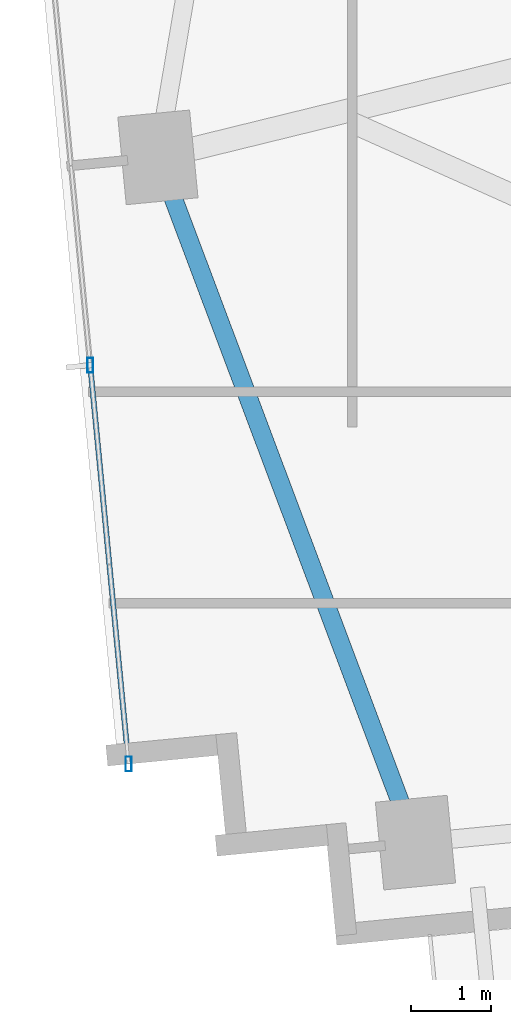
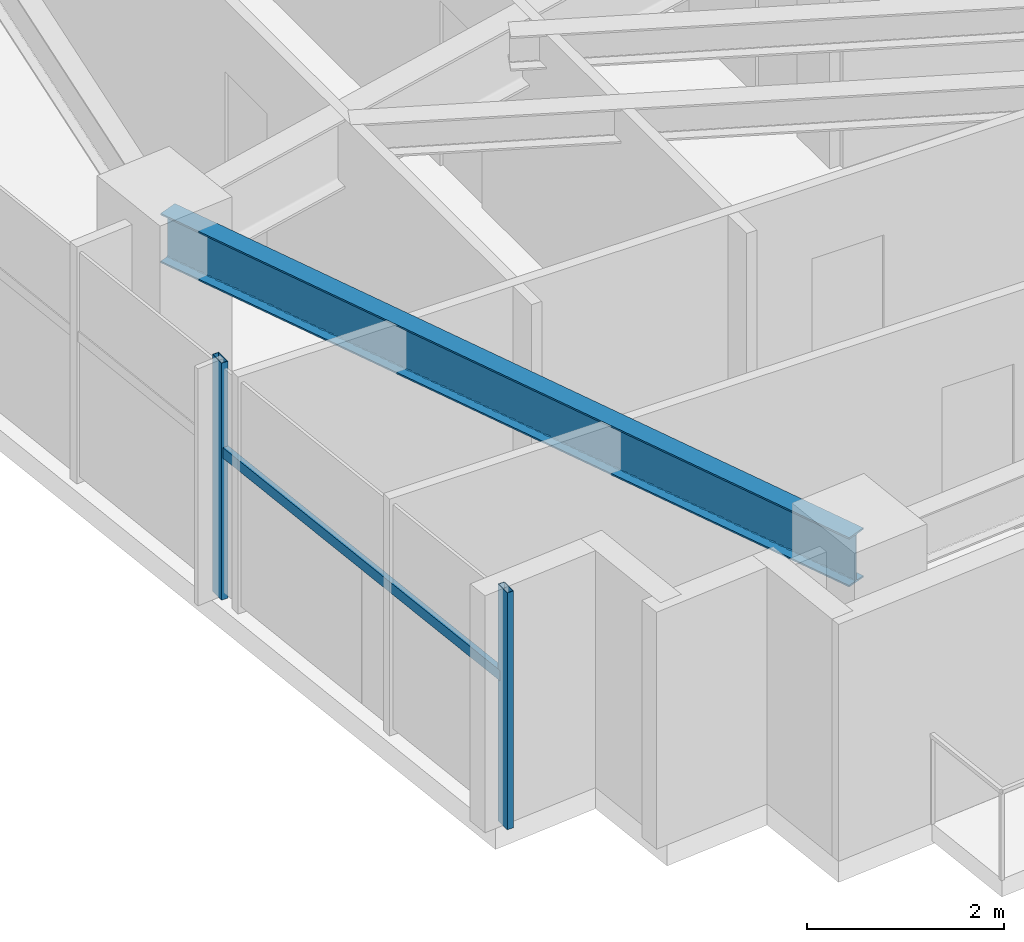
# One storey, part 2 of 25: 3 members, 1 beam, 1 element without a shape of its own.
"""IFC4 building model written with IfcOpenShell, lengths in metres."""

from ifc_helpers import new_model, si_unit, direction, frame, origin, origin_2d, place, context, subcontext, project, spatial, hollow_rectangle, i_section, extrude, source, transform, mapped, material, material_profile, profile_set, type_object, type_shapes, element, aggregate, save


model = new_model("IFC4")

# Units and contexts
model_context = context("Model", 3, precision=1e-05, world=origin(), true_north=direction((0.0, 1.0)))
body_context = subcontext(model_context, "Body", "Model", "MODEL_VIEW")
ifc_project = project(units=[si_unit("LENGTHUNIT", "METRE"), si_unit("AREAUNIT", "SQUARE_METRE"), si_unit("VOLUMEUNIT", "CUBIC_METRE"), si_unit("PLANEANGLEUNIT", "RADIAN"), si_unit("MASSUNIT", "GRAM", prefix="KILO")], contexts=[model_context])

# Site, building, storey
site_placement = place(None, origin())
site = spatial("IfcSite", under=ifc_project, at=site_placement, CompositionType="ELEMENT")
building_placement = place(site_placement, origin())
building = spatial("IfcBuilding", under=site, at=building_placement, Name="Astriad Promenade Condominiums", CompositionType="ELEMENT")
storey_placement = place(building_placement, frame((0.0, 0.0, 100.199951171875)))
storey = spatial("IfcBuildingStorey", under=building, at=storey_placement, Name="L28", CompositionType="ELEMENT", Elevation=100.199951171875)

# Beam
ifc_material_1 = material(Name="Steel ASTM A992 Grade 50", Category="steel")
ifc_material_profile_1 = material_profile(ifc_material_1, i_section(OverallWidth=0.22900390625, OverallDepth=0.612060546875, WebThickness=0.011962890625, FlangeThickness=0.01953125, FilletRadius=0.017822265625, at=origin_2d()), Name="W24X84")
ifc_profile_set_1 = profile_set([ifc_material_profile_1], Name="Steel ASTM A992 Grade 50")
beam_type = type_object("IfcBeamType", Name="STEEL SPANDREL BEAM W24X84", PredefinedType="SPANDREL", material=ifc_profile_set_1)
shared_shape_1 = source(origin(), body_context, "Body", "SweptSolid", [
    extrude(i_section(OverallWidth=0.22900390625, OverallDepth=0.612060546875, WebThickness=0.011962890625, FlangeThickness=0.01953125, FilletRadius=0.017822265625, at=origin_2d()), origin(), (0.0, 0.0, 1.0), 9.055419921875),
])
type_shapes(beam_type, [shared_shape_1])
beam_placement = place(storey_placement, frame((10.765625, 13.523193359375, 2.634033203125), z_axis=(0.351864937141, -0.936050781748, 0.0), x_axis=(0.936050781748, 0.351864937141, 0.0)))
element("IfcBeam", 1, at=beam_placement, inside=storey, type_object=beam_type, Name="Perimeter Spandrel Beam SP-W1-L28", PredefinedType="SPANDREL", context=body_context, shape_type="MappedRepresentation", body=[
    mapped(shared_shape_1, transform((0.0, 0.0, 0.0), scale=1.0)),
])

# Curtain wall, members
ifc_material_2 = material(Name="Anodised aluminium Black Dark Glass Unitised", Category="aluminium")
curtain_wall_type = type_object("IfcCurtainWallType", Name="CW-B2-DARK", PredefinedType="USERDEFINED", material=ifc_material_2)
curtain_wall_placement = place(storey_placement, origin())
curtain_wall = element("IfcCurtainWall", 2, at=curtain_wall_placement, inside=storey, type_object=curtain_wall_type, Name="CW-L28-W", ObjectType="UNITISED_CURTAIN_WALL", PredefinedType="USERDEFINED")
ifc_material_3 = material(Name="Anodised aluminium 6063-T6 Black", Category="aluminium")
ifc_material_profile_2 = material_profile(ifc_material_3, hollow_rectangle(XDim=0.074951171875, YDim=0.18505859375, WallThickness=0.00439453125, at=origin_2d()), Name="ALU-MUL-75X185")
ifc_profile_set_2 = profile_set([ifc_material_profile_2], Name="Anodised aluminium 6063-T6 Black")
member_type_1 = type_object("IfcMemberType", Name="MUL-ALU-MUL-75X185", PredefinedType="MULLION", material=ifc_profile_set_2)
shared_shape_2 = source(origin(), body_context, "Body", "SweptSolid", [
    extrude(hollow_rectangle(XDim=0.074951171875, YDim=0.18505859375, WallThickness=0.00439453125, at=origin_2d()), origin(), (0.0, 0.0, 1.0), 2.93994140625),
])
type_shapes(member_type_1, [shared_shape_2])
member_1_placement = place(storey_placement, frame((10.385498046875, 5.99072265625, 0.0), z_axis=(0.0, 0.0, 1.0), x_axis=(1.0, 0.0, 0.0)))
member_1 = element("IfcMember", 3, at=member_1_placement, type_object=member_type_1, Name="CW-L28-W-MUL-00", PredefinedType="MULLION", context=body_context, shape_type="MappedRepresentation", body=[
    mapped(shared_shape_2, transform((0.0, 0.0, 0.0), scale=1.0)),
])
member_2_placement = place(storey_placement, frame((9.90625, 10.9677734375, 0.0), z_axis=(0.0, 0.0, 1.0), x_axis=(1.0, 0.0, 0.0)))
member_2 = element("IfcMember", 4, at=member_2_placement, type_object=member_type_1, Name="CW-L28-W-MUL-01", PredefinedType="MULLION", context=body_context, shape_type="MappedRepresentation", body=[
    mapped(shared_shape_2, transform((0.0, 0.0, 0.0), scale=1.0)),
])
ifc_material_profile_3 = material_profile(ifc_material_3, hollow_rectangle(XDim=0.06494140625, YDim=0.1298828125, WallThickness=0.00390625, at=origin_2d()), Name="ALU-TRN-65X130")
ifc_profile_set_3 = profile_set([ifc_material_profile_3], Name="Anodised aluminium 6063-T6 Black")
member_type_2 = type_object("IfcMemberType", Name="TRN-ALU-TRN-65X130", PredefinedType="USERDEFINED", material=ifc_profile_set_3)
shared_shape_3 = source(origin(), body_context, "Body", "SweptSolid", [
    extrude(hollow_rectangle(XDim=0.06494140625, YDim=0.1298828125, WallThickness=0.00390625, at=origin_2d()), origin(), (0.0, 0.0, 1.0), 5.0),
])
type_shapes(member_type_2, [shared_shape_3])
member_3_placement = place(storey_placement, frame((10.385498046875, 5.99072265625, 1.82275390625), z_axis=(-0.095848242264, 0.995395958629, 0.0), x_axis=(-0.995395958629, -0.095848242264, 0.0)))
member_3 = element("IfcMember", 5, at=member_3_placement, type_object=member_type_2, Name="CW-L28-W-TRN-00-0", ObjectType="TRANSOM", PredefinedType="USERDEFINED", context=body_context, shape_type="MappedRepresentation", body=[
    mapped(shared_shape_3, transform((0.0, 0.0, 0.0), scale=1.0)),
])
aggregate(curtain_wall, [member_1, member_2, member_3])

save(model, "model.ifc")
